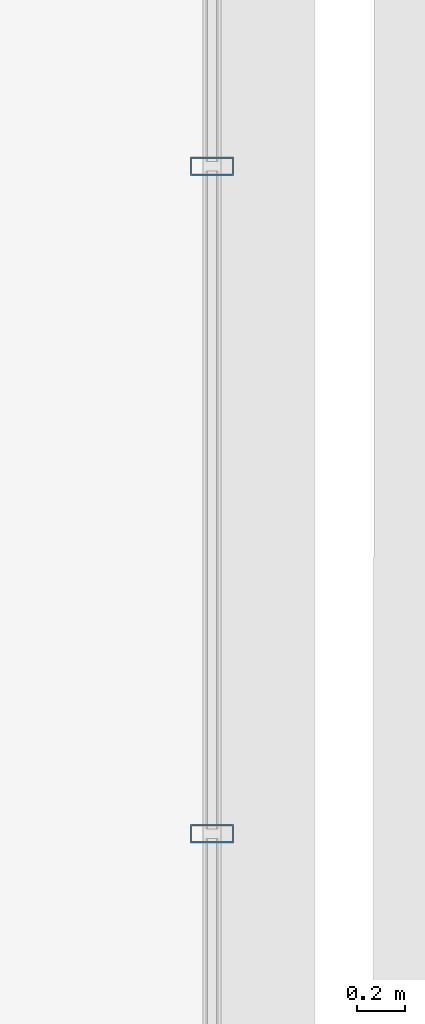
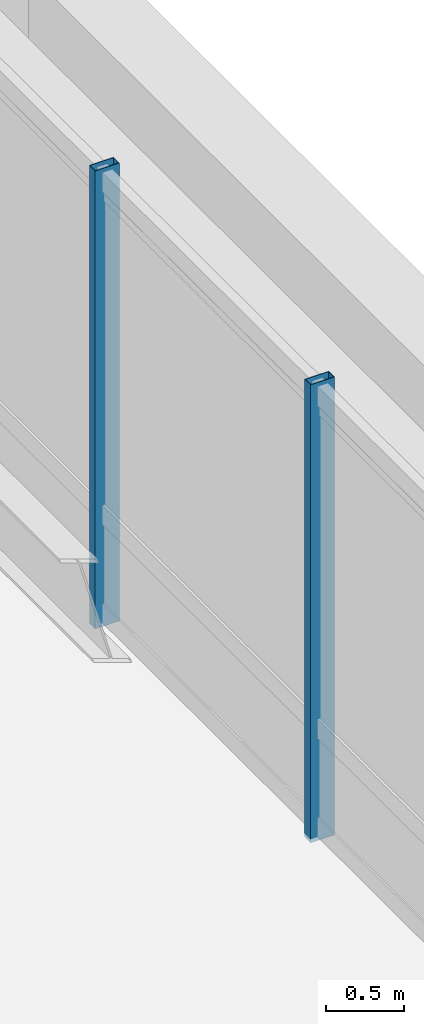
# One storey, part 4 of 14: 2 members, 1 element without a shape of its own.
"""IFC4 building model written with IfcOpenShell, lengths in metres."""

import ifcopenshell
import ifcopenshell.guid

model = None  # the IFC model being written
_history = None  # IfcOwnerHistory: only IFC2X3 demands one
_inside = {}  # id of a spatial element -> (the spatial element, [elements in it])
_under = {}  # id of a project, library or spatial element -> (it, [spatial elements below it])
_declared = {}  # id of a project -> (the project, [libraries it declares])
_typed = {}  # id of a type object -> (the type object, [elements of that type])
_made_of = {}  # id of a material, layer set ... -> (it, [elements and type objects made of it])


def new_model(schema):
    """Start an empty IFC model of exactly this schema.

    Asked for "IFC4X3", IfcOpenShell would pick the latest addendum, in which some entities
    have other attributes; the version numbers below select the first issue.
    IFC2X3 requires an IfcOwnerHistory on every rooted entity: one is made here for all.
    """
    global model, _history
    if schema == "IFC4X3":
        model = ifcopenshell.file(schema_version=(4, 3, 0, 0))
    else:
        model = ifcopenshell.file(schema=schema)
    _inside.clear()
    _under.clear()
    _declared.clear()
    _typed.clear()
    _made_of.clear()
    _history = None
    if model.schema == "IFC2X3":
        org = make("IfcOrganization", Name="unknown")
        user = make(
            "IfcPersonAndOrganization",
            ThePerson=make("IfcPerson", FamilyName="unknown"),
            TheOrganization=org,
        )
        app = make(
            "IfcApplication",
            ApplicationDeveloper=org,
            Version="unknown",
            ApplicationFullName="unknown",
            ApplicationIdentifier="unknown",
        )
        _history = make(
            "IfcOwnerHistory",
            OwningUser=user,
            OwningApplication=app,
            ChangeAction="ADDED",
            CreationDate=0,
        )
    return model


def make(cls, **values):
    """One entity of the class cls with the attributes given. An attribute that is None is left unset."""
    return model.create_entity(
        cls, **{name: value for name, value in values.items() if value is not None}
    )


def rooted(cls, **values):
    """An entity with a GlobalId (a new one), such as an element, a storey or a relation."""
    return make(cls, GlobalId=ifcopenshell.guid.new(), OwnerHistory=_history, **values)


def si_unit(unit_type, name, prefix=None):
    """IfcSIUnit, for example si_unit("LENGTHUNIT", "METRE", prefix="MILLI")."""
    return make("IfcSIUnit", UnitType=unit_type, Prefix=prefix, Name=name)


def assignment(units):
    """IfcUnitAssignment: the units of a project."""
    return None if units is None else make("IfcUnitAssignment", Units=units)


def point(xyz):
    """IfcCartesianPoint."""
    return None if xyz is None else make("IfcCartesianPoint", Coordinates=xyz)


def direction(xyz):
    """IfcDirection."""
    return None if xyz is None else make("IfcDirection", DirectionRatios=xyz)


def frame(location, z_axis=None, x_axis=None):
    """IfcAxis2Placement3D, a coordinate frame: its origin and axes. An axis left out is left unset."""
    return make(
        "IfcAxis2Placement3D",
        Location=point(location),
        Axis=direction(z_axis),
        RefDirection=direction(x_axis),
    )


def frame_2d(location, x_axis=None):
    """IfcAxis2Placement2D, a coordinate frame in the plane: its origin and x axis."""
    return make(
        "IfcAxis2Placement2D", Location=point(location), RefDirection=direction(x_axis)
    )


def origin():
    """The frame at (0, 0, 0) with its axes left unset."""
    return frame((0.0, 0.0, 0.0))


def origin_2d():
    """The frame at (0, 0) in the plane with its x axis left unset."""
    return frame_2d((0.0, 0.0))


def place(relative_to, where):
    """IfcLocalPlacement: puts the frame where relative to a parent placement (None: the world)."""
    return make(
        "IfcLocalPlacement", PlacementRelTo=relative_to, RelativePlacement=where
    )


def context(
    kind, dimensions, precision=None, world=None, true_north=None, identifier=None
):
    """IfcGeometricRepresentationContext, for example the 3D "Model" context."""
    return make(
        "IfcGeometricRepresentationContext",
        ContextIdentifier=identifier,
        ContextType=kind,
        CoordinateSpaceDimension=dimensions,
        Precision=precision,
        WorldCoordinateSystem=world,
        TrueNorth=true_north,
    )


def subcontext(parent, identifier, kind, view, scale=None):
    """IfcGeometricRepresentationSubContext, for example "Body" below "Model"."""
    return make(
        "IfcGeometricRepresentationSubContext",
        ContextIdentifier=identifier,
        ContextType=kind,
        ParentContext=parent,
        TargetScale=scale,
        TargetView=view,
    )


def project(units=None, contexts=None):
    """IfcProject with its units and contexts."""
    return rooted(
        "IfcProject",
        Name="project",
        RepresentationContexts=contexts,
        UnitsInContext=assignment(units),
    )


def spatial(cls, under=None, at=None, **own):
    """A site, building, storey or space (cls), placed at a placement, below another one or the project."""
    s = rooted(cls, ObjectPlacement=at, **own)
    if under is not None:
        _under.setdefault(under.id(), (under, []))[1].append(s)
    return s


def profile(cls, at=None, kind="AREA", **sizes):
    """A parametric profile (cls). Its sizes go by their IFC names, for example OverallWidth=200.0."""
    return make(cls, ProfileType=kind, Position=at, **sizes)


def hollow_rectangle(**sizes):
    """IfcRectangleHollowProfileDef."""
    return profile("IfcRectangleHollowProfileDef", **sizes)


def extrude(swept, where, along, depth):
    """IfcExtrudedAreaSolid: the profile swept, set in the frame where, extruded along a direction by depth."""
    return make(
        "IfcExtrudedAreaSolid",
        SweptArea=swept,
        Position=where,
        ExtrudedDirection=direction(along),
        Depth=depth,
    )


def shape(context_of_items, identifier, shape_type, items):
    """IfcShapeRepresentation: the items that make up one representation, for example the "Body"."""
    return make(
        "IfcShapeRepresentation",
        ContextOfItems=context_of_items,
        RepresentationIdentifier=identifier,
        RepresentationType=shape_type,
        Items=items,
    )


def material(Name=None, Category=None):
    """IfcMaterial."""
    return make("IfcMaterial", Name=Name, Category=Category)


def material_profile(
    of_material, cross_section, Name=None, Category=None, Priority=None
):
    """IfcMaterialProfile: a cross section and its material."""
    return make(
        "IfcMaterialProfile",
        Name=Name,
        Material=of_material,
        Profile=cross_section,
        Priority=Priority,
        Category=Category,
    )


def profile_set(profiles, Name=None, composite=None):
    """IfcMaterialProfileSet."""
    return make(
        "IfcMaterialProfileSet",
        Name=Name,
        MaterialProfiles=profiles,
        CompositeProfile=composite,
    )


def made_of(thing, what):
    """Note that an element or type object is made of a material, layer set ...; save() writes the relation."""
    if what is not None:
        _made_of.setdefault(what.id(), (what, []))[1].append(thing)
    return thing


def type_object(cls, material=None, **own):
    """A type object (cls), such as IfcWallType, which elements share."""
    return made_of(rooted(cls, **own), material)


def element(
    cls,
    number,
    at=None,
    inside=None,
    cuts=None,
    type_object=None,
    material=None,
    context=None,
    identifier="Body",
    shape_type=None,
    held_by="IfcProductDefinitionShape",
    body=None,
    shapes=None,
    **own,
):
    """One element of the class cls, such as IfcWall. Its Tag is "e" and its number.

    at: its placement. inside: the storey or other place that contains it. cuts: it is an
    opening in that element (IfcRelVoidsElement). A single representation is given by context,
    identifier, shape_type and body (its items); several are given by shapes. held_by: the class
    of the entity that holds the representations. save() writes the other relations.
    """
    e = rooted(cls, Tag="e%d" % number, ObjectPlacement=at, **own)
    if body is not None:
        shapes = [shape(context, identifier, shape_type, body)]
    if shapes is not None:
        e.Representation = make(held_by, Representations=shapes)
    if inside is not None:
        _inside.setdefault(inside.id(), (inside, []))[1].append(e)
    if cuts is not None:
        rooted(
            "IfcRelVoidsElement", RelatingBuildingElement=cuts, RelatedOpeningElement=e
        )
    if type_object is not None:
        _typed.setdefault(type_object.id(), (type_object, []))[1].append(e)
    return made_of(e, material)


def aggregate(whole, parts):
    """IfcRelAggregates: a whole, such as a stair, and the parts it consists of."""
    return rooted("IfcRelAggregates", RelatingObject=whole, RelatedObjects=parts)


def save(model, path):
    """Write the relations noted so far, then the file.

    IfcRelAggregates (storeys below a building ...), IfcRelContainedInSpatialStructure (elements
    in a storey), IfcRelDefinesByType, IfcRelAssociatesMaterial and IfcRelDeclares: one each for
    every whole, place, type object, material and project.
    """
    for whole, parts in _under.values():
        aggregate(whole, parts)
    for where, things in _inside.values():
        rooted(
            "IfcRelContainedInSpatialStructure",
            RelatedElements=things,
            RelatingStructure=where,
        )
    for kind, things in _typed.values():
        rooted("IfcRelDefinesByType", RelatedObjects=things, RelatingType=kind)
    for what, things in _made_of.values():
        rooted("IfcRelAssociatesMaterial", RelatedObjects=things, RelatingMaterial=what)
    for by, libraries in _declared.values():
        rooted("IfcRelDeclares", RelatingContext=by, RelatedDefinitions=libraries)
    model.write(path)


model = new_model("IFC4")

# Units and contexts
model_context = context("Model", 3, precision=1e-05, world=origin(), true_north=direction((0.0, 1.0)))
body_context = subcontext(model_context, "Body", "Model", "MODEL_VIEW")
ifc_project = project(units=[si_unit("LENGTHUNIT", "METRE"), si_unit("AREAUNIT", "SQUARE_METRE"), si_unit("VOLUMEUNIT", "CUBIC_METRE"), si_unit("PLANEANGLEUNIT", "RADIAN"), si_unit("MASSUNIT", "GRAM", prefix="KILO")], contexts=[model_context])

# Site, building, storey
site_placement = place(None, origin())
site = spatial("IfcSite", under=ifc_project, at=site_placement, CompositionType="ELEMENT")
building_placement = place(site_placement, origin())
building = spatial("IfcBuilding", under=site, at=building_placement, Name="Zulverin Broadcast Headquarters", CompositionType="ELEMENT")
storey_placement = place(building_placement, frame((0.0, 0.0, 40.199951171875)))
storey = spatial("IfcBuildingStorey", under=building, at=storey_placement, Name="L09", CompositionType="ELEMENT", Elevation=40.199951171875)

# Curtain wall, members
ifc_material_1 = material(Name="Low-zone ribbon unitised curtain wall", Category="aluminium")
curtain_wall_type = type_object("IfcCurtainWallType", Name="CW-TWR-LOW", PredefinedType="USERDEFINED", material=ifc_material_1)
curtain_wall_placement = place(storey_placement, origin())
curtain_wall = element("IfcCurtainWall", 1, at=curtain_wall_placement, inside=storey, type_object=curtain_wall_type, Name="L09 Unitised Curtain Wall CW-L09-E3", ObjectType="UNITISED CURTAIN WALL", PredefinedType="USERDEFINED")
ifc_material_2 = material(Name="Anodized pale-metal aluminium alloy 6063-T6", Category="aluminium")
ifc_material_profile = material_profile(ifc_material_2, hollow_rectangle(XDim=0.074951171875, YDim=0.179931640625, WallThickness=0.0048828125, at=origin_2d()), Name="Anodized pale-metal aluminium alloy 6063-T6", Category="aluminium")
ifc_profile_set = profile_set([ifc_material_profile], Name="Anodized pale-metal aluminium alloy 6063-T6")
member_type = type_object("IfcMemberType", Name="CW-MUL-180", PredefinedType="MULLION", material=ifc_profile_set)
member_1_placement = place(storey_placement, frame((66.080078125, 27.229736328125, -0.030029296875), z_axis=(0.0, 0.0, 1.0), x_axis=(0.0, 1.0, 0.0)))
member_1 = element("IfcMember", 2, at=member_1_placement, type_object=member_type, Name="CW-L09-E3 Mullion 04", PredefinedType="MULLION", context=body_context, shape_type="SweptSolid", body=[
    extrude(hollow_rectangle(XDim=0.074951171875, YDim=0.179931640625, WallThickness=0.0048828125, at=origin_2d()), origin(), (0.0, 0.0, 1.0), 3.5849609375),
])
member_2_placement = place(storey_placement, frame((66.080078125, 29.9912109375, -0.030029296875), z_axis=(0.0, 0.0, 1.0), x_axis=(0.0, 1.0, 0.0)))
member_2 = element("IfcMember", 3, at=member_2_placement, type_object=member_type, Name="CW-L09-E3 Mullion 05", PredefinedType="MULLION", context=body_context, shape_type="SweptSolid", body=[
    extrude(hollow_rectangle(XDim=0.074951171875, YDim=0.179931640625, WallThickness=0.0048828125, at=origin_2d()), origin(), (0.0, 0.0, 1.0), 3.5849609375),
])
aggregate(curtain_wall, [member_1, member_2])

save(model, "model.ifc")
